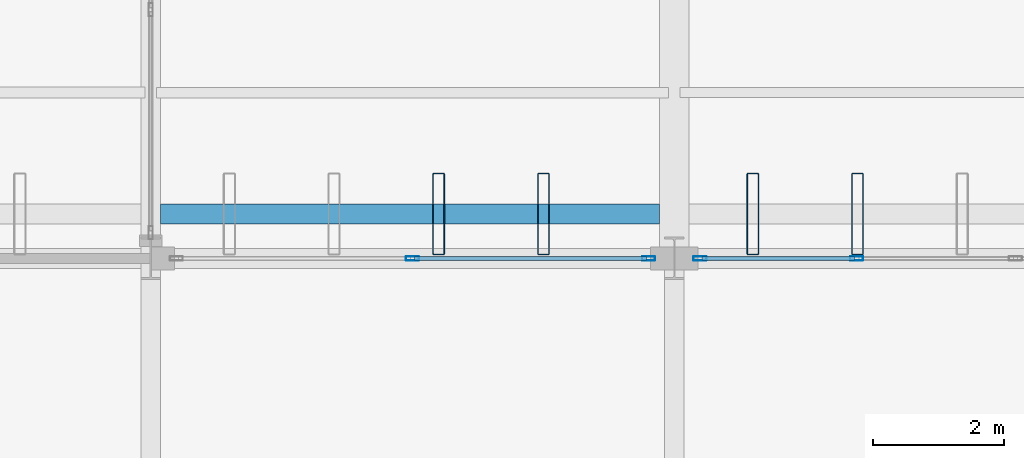
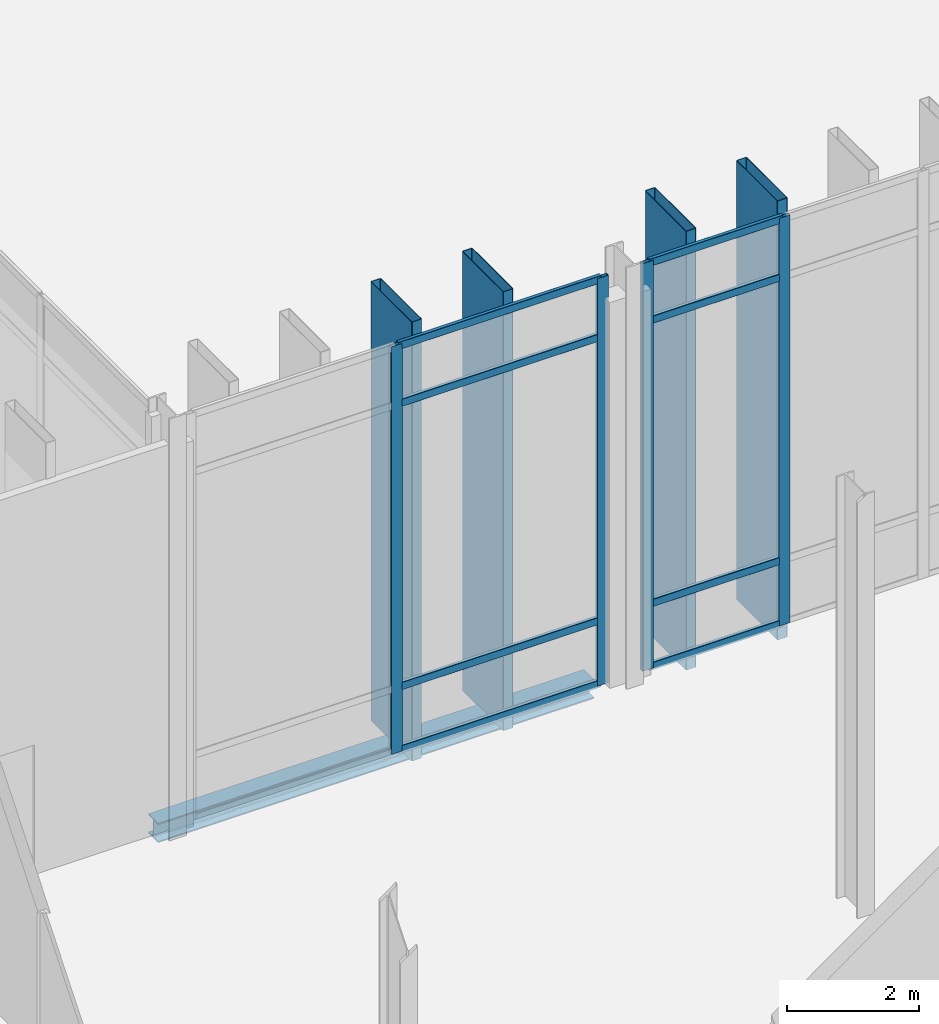
# One storey, part 66 of 176: 16 members, 1 beam, 2 elements without a shape of their own.
"""IFC4 building model written with IfcOpenShell, lengths in metres."""

from ifc_helpers import new_model, si_unit, direction, frame, origin, origin_2d, place, context, subcontext, project, spatial, hollow_rectangle, i_section, extrude, material, layer, layer_set, material_profile, profile_set, type_object, element, aggregate, save


model = new_model("IFC4")

# Units and contexts
model_context = context("Model", 3, precision=1e-05, world=origin(), true_north=direction((0.0, 1.0)))
body_context = subcontext(model_context, "Body", "Model", "MODEL_VIEW")
ifc_project = project(units=[si_unit("LENGTHUNIT", "METRE"), si_unit("AREAUNIT", "SQUARE_METRE"), si_unit("VOLUMEUNIT", "CUBIC_METRE"), si_unit("PLANEANGLEUNIT", "RADIAN"), si_unit("MASSUNIT", "GRAM", prefix="KILO")], contexts=[model_context])

# Site, building, storey
site_placement = place(None, origin())
site = spatial("IfcSite", under=ifc_project, at=site_placement, CompositionType="ELEMENT")
building_placement = place(site_placement, origin())
building = spatial("IfcBuilding", under=site, at=building_placement, Name="Vekula Escarpment Museum", CompositionType="ELEMENT")
storey_placement = place(building_placement, origin())
storey = spatial("IfcBuildingStorey", under=building, at=storey_placement, Name="L01", CompositionType="ELEMENT", Elevation=0.0)

# Beam
ifc_material_1 = material(Name="Steel S355", Category="steel")
ifc_material_profile_1 = material_profile(ifc_material_1, i_section(OverallWidth=0.300048828125, OverallDepth=0.360107421875, WebThickness=0.012451171875, FlangeThickness=0.0224609375, FilletRadius=0.027099609375, at=origin_2d()), Name="HEB 360")
ifc_profile_set_1 = profile_set([ifc_material_profile_1], Name="Steel S355")
beam_type = type_object("IfcBeamType", Name="BM-GIRD-HEB360", PredefinedType="BEAM", material=ifc_profile_set_1)
beam_placement = place(storey_placement, frame((102.14990234375, 91.080078125, -0.47998046875), z_axis=(1.0, 0.0, 0.0), x_axis=(0.0, 1.0, 0.0)))
element("IfcBeam", 1, at=beam_placement, inside=storey, type_object=beam_type, Name="Solar Fin Sill Girder 014", PredefinedType="BEAM", context=body_context, shape_type="SweptSolid", body=[
    extrude(i_section(OverallWidth=0.300048828125, OverallDepth=0.360107421875, WebThickness=0.012451171875, FlangeThickness=0.0224609375, FilletRadius=0.027099609375, at=origin_2d()), origin(), (0.0, 0.0, 1.0), 7.625),
])

# Curtain wall, members
ifc_material_2 = material(Name="Aluminium thermally broken framing", Category="aluminium")
ifc_layer_1 = layer(ifc_material_2, 0.139892578125)
ifc_layer_set_1 = layer_set([ifc_layer_1], Name="Aluminium thermally broken framing")
curtain_wall_type_1 = type_object("IfcCurtainWallType", Name="CW-SYS-06", PredefinedType="NOTDEFINED", material=ifc_layer_set_1)
curtain_wall_1_placement = place(storey_placement, origin())
curtain_wall_1 = element("IfcCurtainWall", 2, at=curtain_wall_1_placement, inside=storey, type_object=curtain_wall_type_1, Name="Curtain Wall CW-L01-026", PredefinedType="NOTDEFINED")
ifc_material_3 = material(Name="Aluminium anodized mullion", Category="aluminium")
ifc_material_profile_2 = material_profile(ifc_material_3, hollow_rectangle(XDim=0.06494140625, YDim=0.199951171875, WallThickness=0.00390625, InnerFilletRadius=0.00390625, OuterFilletRadius=0.008056640625, at=origin_2d()), Name="ALU 200x65x4")
ifc_profile_set_2 = profile_set([ifc_material_profile_2], Name="Aluminium anodized mullion")
member_type_1 = type_object("IfcMemberType", Name="CW-MUL-200", PredefinedType="MULLION", material=ifc_profile_set_2)
member_1_placement = place(storey_placement, frame((112.78662109375, 90.39990234375, 0.0), z_axis=(0.0, 0.0, 1.0), x_axis=(0.0, -1.0, 0.0)))
member_1 = element("IfcMember", 3, at=member_1_placement, type_object=member_type_1, Name="CW-06 mullion 3", PredefinedType="MULLION", context=body_context, shape_type="SweptSolid", body=[
    extrude(hollow_rectangle(XDim=0.06494140625, YDim=0.199951171875, WallThickness=0.00390625, InnerFilletRadius=0.00390625, OuterFilletRadius=0.008056640625, at=origin_2d()), origin(), (0.0, 0.0, 1.0), 7.5400390625),
])
member_2_placement = place(storey_placement, frame((110.392578125, 90.39990234375, 0.0), z_axis=(0.0, 0.0, 1.0), x_axis=(0.0, -1.0, 0.0)))
member_2 = element("IfcMember", 4, at=member_2_placement, type_object=member_type_1, Name="CW-06 mullion 4", PredefinedType="MULLION", context=body_context, shape_type="SweptSolid", body=[
    extrude(hollow_rectangle(XDim=0.06494140625, YDim=0.199951171875, WallThickness=0.00390625, InnerFilletRadius=0.00390625, OuterFilletRadius=0.008056640625, at=origin_2d()), origin(), (0.0, 0.0, 1.0), 7.5400390625),
])

ifc_material_4 = material(Name="Aluminium thermally broken framing", Category="aluminium")
ifc_layer_2 = layer(ifc_material_4, 0.179931640625)
ifc_layer_set_2 = layer_set([ifc_layer_2], Name="Aluminium thermally broken framing")
curtain_wall_type_2 = type_object("IfcCurtainWallType", Name="CW-SYS-07", PredefinedType="NOTDEFINED", material=ifc_layer_set_2)
curtain_wall_2_placement = place(storey_placement, origin())
curtain_wall_2 = element("IfcCurtainWall", 5, at=curtain_wall_2_placement, inside=storey, type_object=curtain_wall_type_2, Name="Curtain Wall CW-L01-027", PredefinedType="NOTDEFINED")
member_3_placement = place(storey_placement, frame((109.607421875, 90.39990234375, 0.0), z_axis=(0.0, 0.0, 1.0), x_axis=(0.0, -1.0, 0.0)))
member_3 = element("IfcMember", 6, at=member_3_placement, type_object=member_type_1, Name="CW-07 mullion 1", PredefinedType="MULLION", context=body_context, shape_type="SweptSolid", body=[
    extrude(hollow_rectangle(XDim=0.06494140625, YDim=0.199951171875, WallThickness=0.00390625, InnerFilletRadius=0.00390625, OuterFilletRadius=0.008056640625, at=origin_2d()), origin(), (0.0, 0.0, 1.0), 7.5400390625),
])
member_4_placement = place(storey_placement, frame((106.0, 90.39990234375, 0.0), z_axis=(0.0, 0.0, 1.0), x_axis=(0.0, -1.0, 0.0)))
member_4 = element("IfcMember", 7, at=member_4_placement, type_object=member_type_1, Name="CW-07 mullion 2", PredefinedType="MULLION", context=body_context, shape_type="SweptSolid", body=[
    extrude(hollow_rectangle(XDim=0.06494140625, YDim=0.199951171875, WallThickness=0.00390625, InnerFilletRadius=0.00390625, OuterFilletRadius=0.008056640625, at=origin_2d()), origin(), (0.0, 0.0, 1.0), 7.5400390625),
])

# Member
ifc_material_5 = material(Name="Aluminium anodized transom", Category="aluminium")
ifc_material_profile_3 = material_profile(ifc_material_5, hollow_rectangle(XDim=0.06494140625, YDim=0.139892578125, WallThickness=0.00390625, InnerFilletRadius=0.00390625, OuterFilletRadius=0.008056640625, at=origin_2d()), Name="ALU 140x65x4")
ifc_profile_set_3 = profile_set([ifc_material_profile_3], Name="Aluminium anodized transom")
member_type_2 = type_object("IfcMemberType", Name="CW-TRN-140", PredefinedType="USERDEFINED", material=ifc_profile_set_3)
member_5_placement = place(storey_placement, frame((112.754150390625, 90.39990234375, 0.032470703125), z_axis=(-1.0, 0.0, 0.0), x_axis=(0.0, -1.0, 0.0)))
member_5 = element("IfcMember", 8, at=member_5_placement, type_object=member_type_2, Name="CW-06 transom 3.1", ObjectType="TRANSOM", PredefinedType="USERDEFINED", context=body_context, shape_type="SweptSolid", body=[
    extrude(hollow_rectangle(XDim=0.06494140625, YDim=0.139892578125, WallThickness=0.00390625, InnerFilletRadius=0.00390625, OuterFilletRadius=0.008056640625, at=origin_2d()), origin(), (0.0, 0.0, 1.0), 2.3291015625),
])

member_6_placement = place(storey_placement, frame((112.754150390625, 90.39990234375, 1.199951171875), z_axis=(-1.0, 0.0, 0.0), x_axis=(0.0, -1.0, 0.0)))
member_6 = element("IfcMember", 9, at=member_6_placement, type_object=member_type_2, Name="CW-06 transom 3.2", ObjectType="TRANSOM", PredefinedType="USERDEFINED", context=body_context, shape_type="SweptSolid", body=[
    extrude(hollow_rectangle(XDim=0.06494140625, YDim=0.139892578125, WallThickness=0.00390625, InnerFilletRadius=0.00390625, OuterFilletRadius=0.008056640625, at=origin_2d()), origin(), (0.0, 0.0, 1.0), 2.3291015625),
])

member_7_placement = place(storey_placement, frame((112.754150390625, 90.39990234375, 6.43994140625), z_axis=(-1.0, 0.0, 0.0), x_axis=(0.0, -1.0, 0.0)))
member_7 = element("IfcMember", 10, at=member_7_placement, type_object=member_type_2, Name="CW-06 transom 3.3", ObjectType="TRANSOM", PredefinedType="USERDEFINED", context=body_context, shape_type="SweptSolid", body=[
    extrude(hollow_rectangle(XDim=0.06494140625, YDim=0.139892578125, WallThickness=0.00390625, InnerFilletRadius=0.00390625, OuterFilletRadius=0.008056640625, at=origin_2d()), origin(), (0.0, 0.0, 1.0), 2.3291015625),
])

member_8_placement = place(storey_placement, frame((112.754150390625, 90.39990234375, 7.507568359375), z_axis=(-1.0, 0.0, 0.0), x_axis=(0.0, -1.0, 0.0)))
member_8 = element("IfcMember", 11, at=member_8_placement, type_object=member_type_2, Name="CW-06 transom 3.4", ObjectType="TRANSOM", PredefinedType="USERDEFINED", context=body_context, shape_type="SweptSolid", body=[
    extrude(hollow_rectangle(XDim=0.06494140625, YDim=0.139892578125, WallThickness=0.00390625, InnerFilletRadius=0.00390625, OuterFilletRadius=0.008056640625, at=origin_2d()), origin(), (0.0, 0.0, 1.0), 2.3291015625),
])

aggregate(curtain_wall_1, [member_1, member_2, member_5, member_6, member_7, member_8])

member_9_placement = place(storey_placement, frame((109.574951171875, 90.39990234375, 0.032470703125), z_axis=(-1.0, 0.0, 0.0), x_axis=(0.0, -1.0, 0.0)))
member_9 = element("IfcMember", 12, at=member_9_placement, type_object=member_type_2, Name="CW-07 transom 1.1", ObjectType="TRANSOM", PredefinedType="USERDEFINED", context=body_context, shape_type="SweptSolid", body=[
    extrude(hollow_rectangle(XDim=0.06494140625, YDim=0.139892578125, WallThickness=0.00390625, InnerFilletRadius=0.00390625, OuterFilletRadius=0.008056640625, at=origin_2d()), origin(), (0.0, 0.0, 1.0), 3.54248046875),
])

member_10_placement = place(storey_placement, frame((109.574951171875, 90.39990234375, 1.199951171875), z_axis=(-1.0, 0.0, 0.0), x_axis=(0.0, -1.0, 0.0)))
member_10 = element("IfcMember", 13, at=member_10_placement, type_object=member_type_2, Name="CW-07 transom 1.2", ObjectType="TRANSOM", PredefinedType="USERDEFINED", context=body_context, shape_type="SweptSolid", body=[
    extrude(hollow_rectangle(XDim=0.06494140625, YDim=0.139892578125, WallThickness=0.00390625, InnerFilletRadius=0.00390625, OuterFilletRadius=0.008056640625, at=origin_2d()), origin(), (0.0, 0.0, 1.0), 3.54248046875),
])

member_11_placement = place(storey_placement, frame((109.574951171875, 90.39990234375, 6.43994140625), z_axis=(-1.0, 0.0, 0.0), x_axis=(0.0, -1.0, 0.0)))
member_11 = element("IfcMember", 14, at=member_11_placement, type_object=member_type_2, Name="CW-07 transom 1.3", ObjectType="TRANSOM", PredefinedType="USERDEFINED", context=body_context, shape_type="SweptSolid", body=[
    extrude(hollow_rectangle(XDim=0.06494140625, YDim=0.139892578125, WallThickness=0.00390625, InnerFilletRadius=0.00390625, OuterFilletRadius=0.008056640625, at=origin_2d()), origin(), (0.0, 0.0, 1.0), 3.54248046875),
])

member_12_placement = place(storey_placement, frame((109.574951171875, 90.39990234375, 7.507568359375), z_axis=(-1.0, 0.0, 0.0), x_axis=(0.0, -1.0, 0.0)))
member_12 = element("IfcMember", 15, at=member_12_placement, type_object=member_type_2, Name="CW-07 transom 1.4", ObjectType="TRANSOM", PredefinedType="USERDEFINED", context=body_context, shape_type="SweptSolid", body=[
    extrude(hollow_rectangle(XDim=0.06494140625, YDim=0.139892578125, WallThickness=0.00390625, InnerFilletRadius=0.00390625, OuterFilletRadius=0.008056640625, at=origin_2d()), origin(), (0.0, 0.0, 1.0), 3.54248046875),
])

aggregate(curtain_wall_2, [member_3, member_4, member_9, member_10, member_11, member_12])

# Members
ifc_material_6 = material(Name="Steel S355 weathered bronze solar fin", Category="steel")
ifc_material_profile_4 = material_profile(ifc_material_6, hollow_rectangle(XDim=0.179931640625, YDim=1.25, WallThickness=0.010009765625, InnerFilletRadius=0.010009765625, OuterFilletRadius=0.02001953125, at=origin_2d()), Name="RHS 1250x180x10")
ifc_profile_set_4 = profile_set([ifc_material_profile_4], Name="Steel S355 weathered bronze solar fin")
member_type_3 = type_object("IfcMemberType", Name="MB-SOLAR-FIN", PredefinedType="USERDEFINED", material=ifc_profile_set_4)
for number, where, z_axis, x_axis, name in (
    (16, (106.39990234375, 91.080078125, -0.320068359375), (0.0, 0.0, 1.0), (1.0, 0.0, 0.0), "Great Hall Vertical Solar Fin 0226"),
    (17, (108.0, 91.080078125, -0.320068359375), (0.0, 0.0, 1.0), (1.0, 0.0, 0.0), "Great Hall Vertical Solar Fin 0231"),
    (18, (111.199951171875, 91.080078125, -0.320068359375), (0.0, 0.0, 1.0), (1.0, 0.0, 0.0), "Great Hall Vertical Solar Fin 0236"),
    (19, (112.800048828125, 91.080078125, -0.320068359375), (0.0, 0.0, 1.0), (1.0, 0.0, 0.0), "Great Hall Vertical Solar Fin 0241"),
):
    element("IfcMember", number, at=place(storey_placement, frame(where, z_axis=z_axis, x_axis=x_axis)), inside=storey, type_object=member_type_3, Name=name, ObjectType="SOLAR FIN", PredefinedType="USERDEFINED", context=body_context, shape_type="SweptSolid", body=[
        extrude(hollow_rectangle(XDim=0.179931640625, YDim=1.25, WallThickness=0.010009765625, InnerFilletRadius=0.010009765625, OuterFilletRadius=0.02001953125, at=origin_2d()), origin(), (0.0, 0.0, 1.0), 8.1201171875),
    ])

save(model, "model.ifc")
